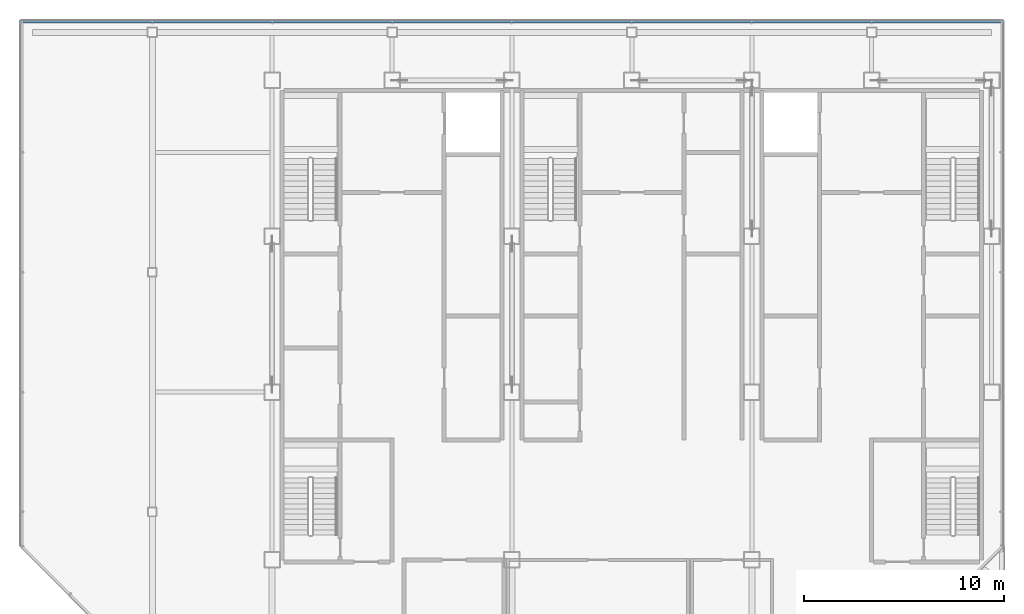
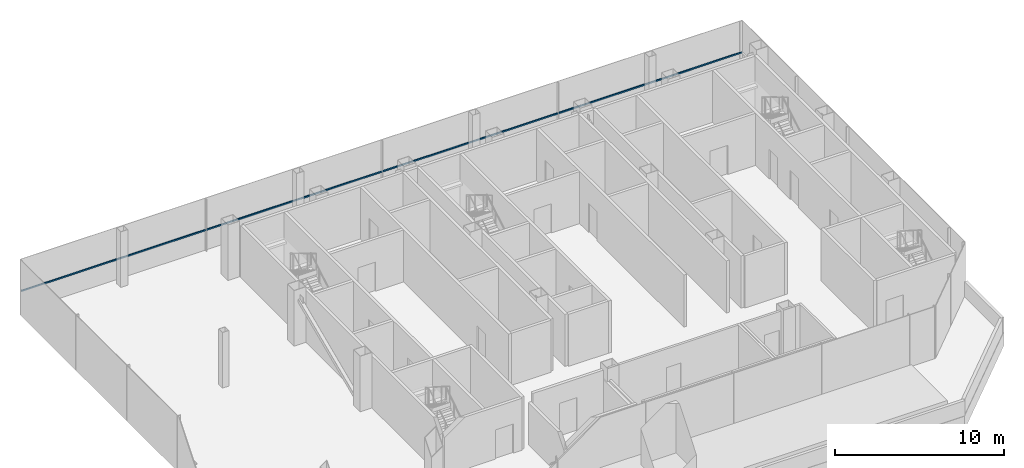
# One storey, part 11 of 18: 1 member, 1 element without a shape of its own.
"""IFC4 building model written with IfcOpenShell, lengths in metres."""

import ifcopenshell
import ifcopenshell.guid

model = None  # the IFC model being written
_history = None  # IfcOwnerHistory: only IFC2X3 demands one
_inside = {}  # id of a spatial element -> (the spatial element, [elements in it])
_under = {}  # id of a project, library or spatial element -> (it, [spatial elements below it])
_declared = {}  # id of a project -> (the project, [libraries it declares])
_typed = {}  # id of a type object -> (the type object, [elements of that type])
_made_of = {}  # id of a material, layer set ... -> (it, [elements and type objects made of it])


def new_model(schema):
    """Start an empty IFC model of exactly this schema.

    Asked for "IFC4X3", IfcOpenShell would pick the latest addendum, in which some entities
    have other attributes; the version numbers below select the first issue.
    IFC2X3 requires an IfcOwnerHistory on every rooted entity: one is made here for all.
    """
    global model, _history
    if schema == "IFC4X3":
        model = ifcopenshell.file(schema_version=(4, 3, 0, 0))
    else:
        model = ifcopenshell.file(schema=schema)
    _inside.clear()
    _under.clear()
    _declared.clear()
    _typed.clear()
    _made_of.clear()
    _history = None
    if model.schema == "IFC2X3":
        org = make("IfcOrganization", Name="unknown")
        user = make(
            "IfcPersonAndOrganization",
            ThePerson=make("IfcPerson", FamilyName="unknown"),
            TheOrganization=org,
        )
        app = make(
            "IfcApplication",
            ApplicationDeveloper=org,
            Version="unknown",
            ApplicationFullName="unknown",
            ApplicationIdentifier="unknown",
        )
        _history = make(
            "IfcOwnerHistory",
            OwningUser=user,
            OwningApplication=app,
            ChangeAction="ADDED",
            CreationDate=0,
        )
    return model


def make(cls, **values):
    """One entity of the class cls with the attributes given. An attribute that is None is left unset."""
    return model.create_entity(
        cls, **{name: value for name, value in values.items() if value is not None}
    )


def rooted(cls, **values):
    """An entity with a GlobalId (a new one), such as an element, a storey or a relation."""
    return make(cls, GlobalId=ifcopenshell.guid.new(), OwnerHistory=_history, **values)


def si_unit(unit_type, name, prefix=None):
    """IfcSIUnit, for example si_unit("LENGTHUNIT", "METRE", prefix="MILLI")."""
    return make("IfcSIUnit", UnitType=unit_type, Prefix=prefix, Name=name)


def assignment(units):
    """IfcUnitAssignment: the units of a project."""
    return None if units is None else make("IfcUnitAssignment", Units=units)


def point(xyz):
    """IfcCartesianPoint."""
    return None if xyz is None else make("IfcCartesianPoint", Coordinates=xyz)


def direction(xyz):
    """IfcDirection."""
    return None if xyz is None else make("IfcDirection", DirectionRatios=xyz)


def frame(location, z_axis=None, x_axis=None):
    """IfcAxis2Placement3D, a coordinate frame: its origin and axes. An axis left out is left unset."""
    return make(
        "IfcAxis2Placement3D",
        Location=point(location),
        Axis=direction(z_axis),
        RefDirection=direction(x_axis),
    )


def frame_2d(location, x_axis=None):
    """IfcAxis2Placement2D, a coordinate frame in the plane: its origin and x axis."""
    return make(
        "IfcAxis2Placement2D", Location=point(location), RefDirection=direction(x_axis)
    )


def origin():
    """The frame at (0, 0, 0) with its axes left unset."""
    return frame((0.0, 0.0, 0.0))


def origin_2d():
    """The frame at (0, 0) in the plane with its x axis left unset."""
    return frame_2d((0.0, 0.0))


def place(relative_to, where):
    """IfcLocalPlacement: puts the frame where relative to a parent placement (None: the world)."""
    return make(
        "IfcLocalPlacement", PlacementRelTo=relative_to, RelativePlacement=where
    )


def context(
    kind, dimensions, precision=None, world=None, true_north=None, identifier=None
):
    """IfcGeometricRepresentationContext, for example the 3D "Model" context."""
    return make(
        "IfcGeometricRepresentationContext",
        ContextIdentifier=identifier,
        ContextType=kind,
        CoordinateSpaceDimension=dimensions,
        Precision=precision,
        WorldCoordinateSystem=world,
        TrueNorth=true_north,
    )


def subcontext(parent, identifier, kind, view, scale=None):
    """IfcGeometricRepresentationSubContext, for example "Body" below "Model"."""
    return make(
        "IfcGeometricRepresentationSubContext",
        ContextIdentifier=identifier,
        ContextType=kind,
        ParentContext=parent,
        TargetScale=scale,
        TargetView=view,
    )


def project(units=None, contexts=None):
    """IfcProject with its units and contexts."""
    return rooted(
        "IfcProject",
        Name="project",
        RepresentationContexts=contexts,
        UnitsInContext=assignment(units),
    )


def spatial(cls, under=None, at=None, **own):
    """A site, building, storey or space (cls), placed at a placement, below another one or the project."""
    s = rooted(cls, ObjectPlacement=at, **own)
    if under is not None:
        _under.setdefault(under.id(), (under, []))[1].append(s)
    return s


def profile(cls, at=None, kind="AREA", **sizes):
    """A parametric profile (cls). Its sizes go by their IFC names, for example OverallWidth=200.0."""
    return make(cls, ProfileType=kind, Position=at, **sizes)


def rectangle(**sizes):
    """IfcRectangleProfileDef."""
    return profile("IfcRectangleProfileDef", **sizes)


def extrude(swept, where, along, depth):
    """IfcExtrudedAreaSolid: the profile swept, set in the frame where, extruded along a direction by depth."""
    return make(
        "IfcExtrudedAreaSolid",
        SweptArea=swept,
        Position=where,
        ExtrudedDirection=direction(along),
        Depth=depth,
    )


def shape(context_of_items, identifier, shape_type, items):
    """IfcShapeRepresentation: the items that make up one representation, for example the "Body"."""
    return make(
        "IfcShapeRepresentation",
        ContextOfItems=context_of_items,
        RepresentationIdentifier=identifier,
        RepresentationType=shape_type,
        Items=items,
    )


def material(Name=None, Category=None):
    """IfcMaterial."""
    return make("IfcMaterial", Name=Name, Category=Category)


def material_profile(
    of_material, cross_section, Name=None, Category=None, Priority=None
):
    """IfcMaterialProfile: a cross section and its material."""
    return make(
        "IfcMaterialProfile",
        Name=Name,
        Material=of_material,
        Profile=cross_section,
        Priority=Priority,
        Category=Category,
    )


def profile_set(profiles, Name=None, composite=None):
    """IfcMaterialProfileSet."""
    return make(
        "IfcMaterialProfileSet",
        Name=Name,
        MaterialProfiles=profiles,
        CompositeProfile=composite,
    )


def made_of(thing, what):
    """Note that an element or type object is made of a material, layer set ...; save() writes the relation."""
    if what is not None:
        _made_of.setdefault(what.id(), (what, []))[1].append(thing)
    return thing


def type_object(cls, material=None, **own):
    """A type object (cls), such as IfcWallType, which elements share."""
    return made_of(rooted(cls, **own), material)


def element(
    cls,
    number,
    at=None,
    inside=None,
    cuts=None,
    type_object=None,
    material=None,
    context=None,
    identifier="Body",
    shape_type=None,
    held_by="IfcProductDefinitionShape",
    body=None,
    shapes=None,
    **own,
):
    """One element of the class cls, such as IfcWall. Its Tag is "e" and its number.

    at: its placement. inside: the storey or other place that contains it. cuts: it is an
    opening in that element (IfcRelVoidsElement). A single representation is given by context,
    identifier, shape_type and body (its items); several are given by shapes. held_by: the class
    of the entity that holds the representations. save() writes the other relations.
    """
    e = rooted(cls, Tag="e%d" % number, ObjectPlacement=at, **own)
    if body is not None:
        shapes = [shape(context, identifier, shape_type, body)]
    if shapes is not None:
        e.Representation = make(held_by, Representations=shapes)
    if inside is not None:
        _inside.setdefault(inside.id(), (inside, []))[1].append(e)
    if cuts is not None:
        rooted(
            "IfcRelVoidsElement", RelatingBuildingElement=cuts, RelatedOpeningElement=e
        )
    if type_object is not None:
        _typed.setdefault(type_object.id(), (type_object, []))[1].append(e)
    return made_of(e, material)


def aggregate(whole, parts):
    """IfcRelAggregates: a whole, such as a stair, and the parts it consists of."""
    return rooted("IfcRelAggregates", RelatingObject=whole, RelatedObjects=parts)


def save(model, path):
    """Write the relations noted so far, then the file.

    IfcRelAggregates (storeys below a building ...), IfcRelContainedInSpatialStructure (elements
    in a storey), IfcRelDefinesByType, IfcRelAssociatesMaterial and IfcRelDeclares: one each for
    every whole, place, type object, material and project.
    """
    for whole, parts in _under.values():
        aggregate(whole, parts)
    for where, things in _inside.values():
        rooted(
            "IfcRelContainedInSpatialStructure",
            RelatedElements=things,
            RelatingStructure=where,
        )
    for kind, things in _typed.values():
        rooted("IfcRelDefinesByType", RelatedObjects=things, RelatingType=kind)
    for what, things in _made_of.values():
        rooted("IfcRelAssociatesMaterial", RelatedObjects=things, RelatingMaterial=what)
    for by, libraries in _declared.values():
        rooted("IfcRelDeclares", RelatingContext=by, RelatedDefinitions=libraries)
    model.write(path)


model = new_model("IFC4")

# Units and contexts
model_context = context("Model", 3, precision=1e-05, world=origin(), true_north=direction((0.0, 1.0)))
body_context = subcontext(model_context, "Body", "Model", "MODEL_VIEW")
ifc_project = project(units=[si_unit("LENGTHUNIT", "METRE"), si_unit("AREAUNIT", "SQUARE_METRE"), si_unit("VOLUMEUNIT", "CUBIC_METRE"), si_unit("PLANEANGLEUNIT", "RADIAN"), si_unit("MASSUNIT", "GRAM", prefix="KILO")], contexts=[model_context])

# Site, building, storey
site_placement = place(None, origin())
site = spatial("IfcSite", under=ifc_project, at=site_placement, CompositionType="ELEMENT")
building_placement = place(site_placement, origin())
building = spatial("IfcBuilding", under=site, at=building_placement, Name="Sorahane Residences", CompositionType="ELEMENT")
storey_placement = place(building_placement, frame((0.0, 0.0, 345.800048828125)))
storey = spatial("IfcBuildingStorey", under=building, at=storey_placement, Name="L82", CompositionType="ELEMENT", Elevation=345.800048828125)

# Curtain wall, member
ifc_material_1 = material(Name="Dark low-e glass and black anodised aluminium", Category="aluminium")
curtain_wall_type = type_object("IfcCurtainWallType", Name="Curtain wall CW-6 Crown unitised wall", PredefinedType="NOTDEFINED", material=ifc_material_1)
curtain_wall_placement = place(storey_placement, origin())
curtain_wall = element("IfcCurtainWall", 1, at=curtain_wall_placement, inside=storey, type_object=curtain_wall_type, Name="CW-6 curtain wall L82 N1", PredefinedType="NOTDEFINED")
ifc_material_2 = material(Name="Black anodised aluminium", Category="aluminium")
ifc_material_profile = material_profile(ifc_material_2, rectangle(XDim=0.10009765625, YDim=0.06005859375, at=origin_2d()), Name="Curtain wall transom CW-6 black anodised aluminium 60x100")
ifc_profile_set = profile_set([ifc_material_profile], Name="Black anodised aluminium")
member_type = type_object("IfcMemberType", Name="Curtain wall transom CW-6 black anodised aluminium 60x100", PredefinedType="USERDEFINED", material=ifc_profile_set)
member_placement = place(storey_placement, frame((42.550048828125, 48.530029296875, 1.5), z_axis=(-1.0, 0.0, 0.0), x_axis=(0.0, -1.0, 0.0)))
member = element("IfcMember", 2, at=member_placement, type_object=member_type, Name="CW-6 transom L82 N1", ObjectType="TRANSOM", PredefinedType="USERDEFINED", context=body_context, shape_type="SweptSolid", body=[
    extrude(rectangle(XDim=0.10009765625, YDim=0.06005859375, at=origin_2d()), origin(), (0.0, 0.0, 1.0), 49.10009765625),
])
aggregate(curtain_wall, [member])

save(model, "model.ifc")
